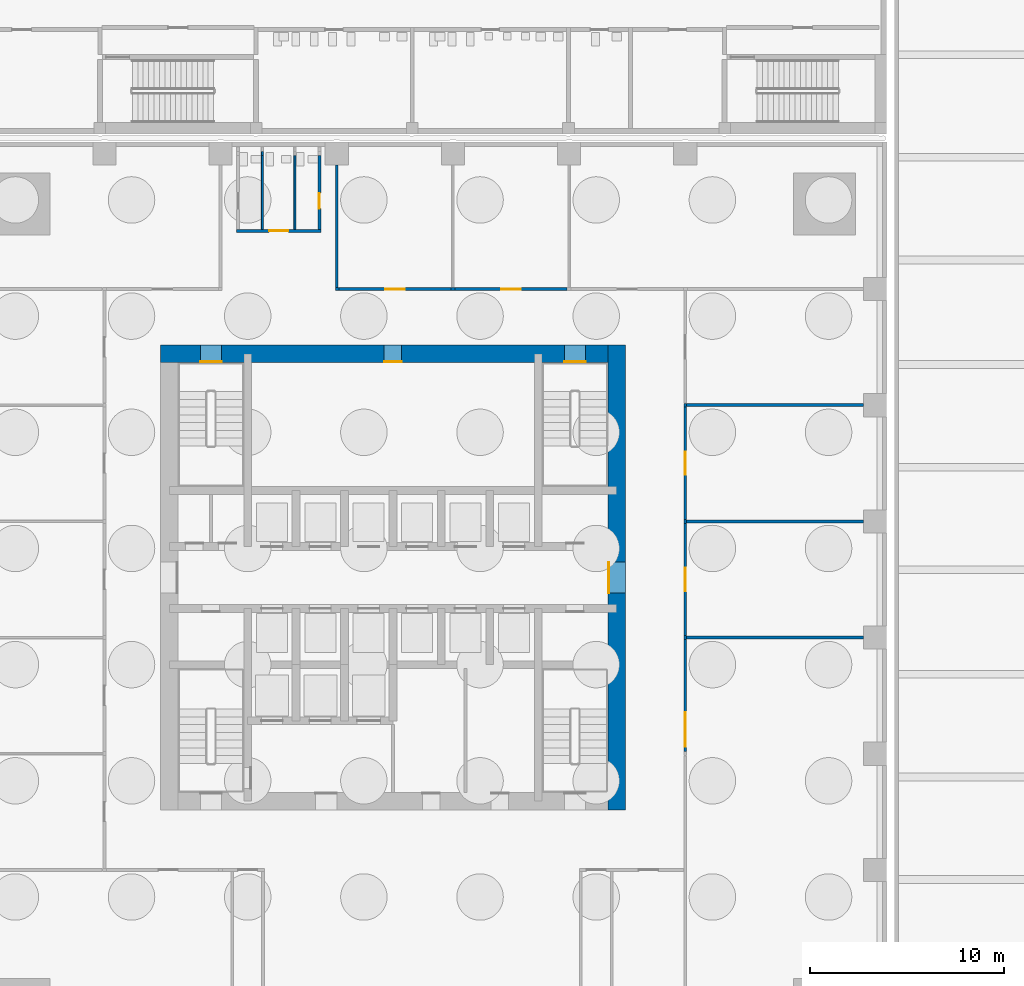
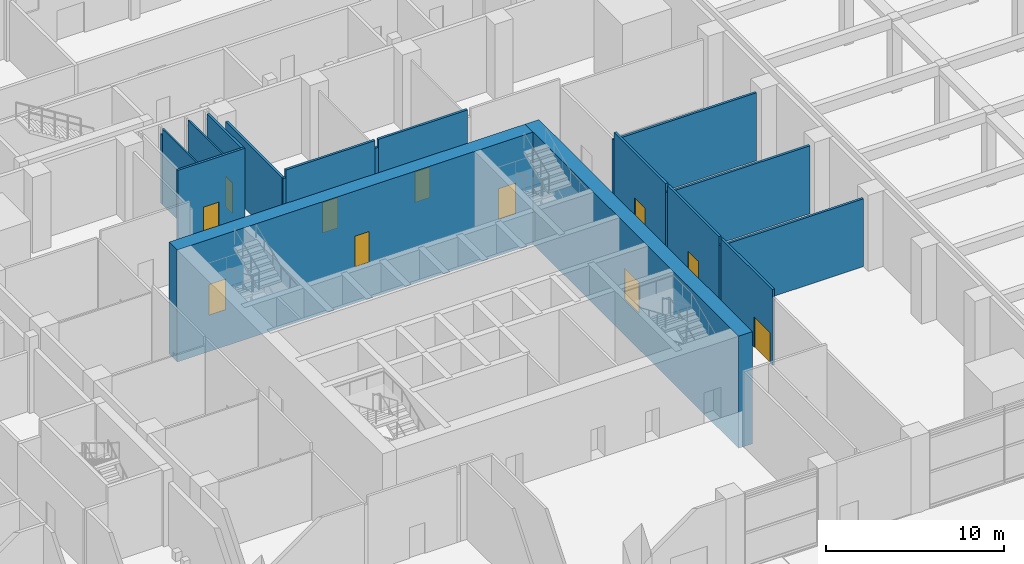
# One storey, part 15 of 33: 21 walls, 11 doors, 11 openings.
"""IFC4 building model written with IfcOpenShell, lengths in metres."""

from ifc_helpers import new_model, si_unit, direction, frame, frame_2d, origin, place, context, subcontext, project, spatial, rectangle, extrude, material, layer, layer_set, type_object, element, fill, save


model = new_model("IFC4")

# Units and contexts
model_context = context("Model", 3, precision=1e-05, world=origin(), true_north=direction((0.0, 1.0)))
body_context = subcontext(model_context, "Body", "Model", "MODEL_VIEW")
ifc_project = project(units=[si_unit("LENGTHUNIT", "METRE"), si_unit("AREAUNIT", "SQUARE_METRE"), si_unit("VOLUMEUNIT", "CUBIC_METRE"), si_unit("PLANEANGLEUNIT", "RADIAN"), si_unit("MASSUNIT", "GRAM", prefix="KILO")], contexts=[model_context])

# Site, building, storey
site_placement = place(None, origin())
site = spatial("IfcSite", under=ifc_project, at=site_placement, CompositionType="ELEMENT")
building_placement = place(site_placement, origin())
building = spatial("IfcBuilding", under=site, at=building_placement, Name="Amberfall Residences", CompositionType="ELEMENT")
storey_placement = place(building_placement, origin())
storey = spatial("IfcBuildingStorey", under=building, at=storey_placement, Name="L00", CompositionType="ELEMENT", Elevation=0.0)

# Wall, openings, doors
ifc_material_1 = material(Name="Concrete C80", Category="concrete")
ifc_layer_1 = layer(ifc_material_1, 0.89990234375)
ifc_layer_set_1 = layer_set([ifc_layer_1], Name="Core wall 900 C80")
wall_type_1 = type_object("IfcWallType", Name="Core wall 900 C80", PredefinedType="SHEAR", material=ifc_layer_set_1)
wall_1_placement = place(storey_placement, frame((62.5, 57.050048828125, -2.5), z_axis=(0.0, 0.0, 1.0), x_axis=(1.0, 0.0, 0.0)))
wall_1 = element("IfcWall", 1, at=wall_1_placement, inside=storey, type_object=wall_type_1, Name="Core wall RW1 L00 ON", PredefinedType="SHEAR", context=body_context, shape_type="SweptSolid", body=[
    extrude(rectangle(XDim=24.0, YDim=0.89990234375, at=frame_2d((12.0, 0.0))), origin(), (0.0, 0.0, 1.0), 7.699951171875),
])
opening_1_placement = place(wall_1_placement, frame((20.85009765625, 0.0, 2.5)))
opening_1 = element("IfcOpeningElement", 2, at=opening_1_placement, cuts=wall_1, Name="Opening SD1", PredefinedType="OPENING", context=body_context, shape_type="SweptSolid", body=[
    extrude(rectangle(XDim=1.10009765625, YDim=2.10009765625, at=frame_2d((0.550048828125, 1.050048828125))), frame((0.0, 0.4599609375, 0.0), z_axis=(0.0, -1.0, 0.0), x_axis=(1.0, 0.0, 0.0)), (0.0, 0.0, 1.0), 0.919921875),
])
opening_2_placement = place(wall_1_placement, frame((2.050048828125, 0.0, 2.5)))
opening_2 = element("IfcOpeningElement", 3, at=opening_2_placement, cuts=wall_1, Name="Opening SD1", PredefinedType="OPENING", context=body_context, shape_type="SweptSolid", body=[
    extrude(rectangle(XDim=1.10009765625, YDim=2.10009765625, at=frame_2d((0.550048828125, 1.050048828125))), frame((0.0, 0.4599609375, 0.0), z_axis=(0.0, -1.0, 0.0), x_axis=(1.0, 0.0, 0.0)), (0.0, 0.0, 1.0), 0.919921875),
])
opening_3_placement = place(wall_1_placement, frame((11.550048828125, 0.0, 2.5)))
opening_3 = element("IfcOpeningElement", 4, at=opening_3_placement, cuts=wall_1, Name="Opening RD1", PredefinedType="OPENING", context=body_context, shape_type="SweptSolid", body=[
    extrude(rectangle(XDim=0.89990234375, YDim=2.10009765625, at=frame_2d((0.449951171875, 1.050048828125))), frame((0.0, 0.4599609375, 0.0), z_axis=(0.0, -1.0, 0.0), x_axis=(1.0, 0.0, 0.0)), (0.0, 0.0, 1.0), 0.919921875),
])
ifc_material_2 = material(Name="Steel fire door set", Category="steel")
door_type_1 = type_object("IfcDoorType", Name="Service room door 900 x 2100", OperationType="SINGLE_SWING_LEFT", PredefinedType="DOOR", material=ifc_material_2)
door_1_placement = place(opening_3_placement, origin())
door_1 = element("IfcDoor", 5, at=door_1_placement, inside=storey, type_object=door_type_1, Name="RD1 L00", OperationType="SINGLE_SWING_RIGHT", OverallHeight=2.10009765625, OverallWidth=0.89990234375, PredefinedType="DOOR", context=body_context, shape_type="SweptSolid", body=[
    extrude(rectangle(XDim=0.89990234375, YDim=2.10009765625, at=frame_2d((0.449951171875, 1.050048828125))), frame((0.0, -0.3876953125, 0.0), z_axis=(0.0, -1.0, 0.0), x_axis=(1.0, 0.0, 0.0)), (0.0, 0.0, 1.0), 0.050048828125),
])
fill(opening_3, door_1)
door_type_2 = type_object("IfcDoorType", Name="Stair door 1100 x 2100", OperationType="SINGLE_SWING_LEFT", PredefinedType="DOOR", material=ifc_material_2)
door_2_placement = place(opening_1_placement, origin())
door_2 = element("IfcDoor", 6, at=door_2_placement, inside=storey, type_object=door_type_2, Name="SD1 L00", OperationType="SINGLE_SWING_RIGHT", OverallHeight=2.10009765625, OverallWidth=1.10009765625, PredefinedType="DOOR", context=body_context, shape_type="SweptSolid", body=[
    extrude(rectangle(XDim=1.10009765625, YDim=2.10009765625, at=frame_2d((0.550048828125, 1.050048828125))), frame((0.0, -0.3876953125, 0.0), z_axis=(0.0, -1.0, 0.0), x_axis=(1.0, 0.0, 0.0)), (0.0, 0.0, 1.0), 0.050048828125),
])
fill(opening_1, door_2)
door_3_placement = place(opening_2_placement, origin())
door_3 = element("IfcDoor", 7, at=door_3_placement, inside=storey, type_object=door_type_2, Name="SD1 L00", OperationType="SINGLE_SWING_LEFT", OverallHeight=2.10009765625, OverallWidth=1.10009765625, PredefinedType="DOOR", context=body_context, shape_type="SweptSolid", body=[
    extrude(rectangle(XDim=1.10009765625, YDim=2.10009765625, at=frame_2d((0.550048828125, 1.050048828125))), frame((0.0, -0.3876953125, 0.0), z_axis=(0.0, -1.0, 0.0), x_axis=(1.0, 0.0, 0.0)), (0.0, 0.0, 1.0), 0.050048828125),
])
fill(opening_2, door_3)

# Wall, opening, door
wall_2_placement = place(storey_placement, frame((86.050048828125, 33.5, -2.5), z_axis=(0.0, 0.0, 1.0), x_axis=(0.0, 1.0, 0.0)))
wall_2 = element("IfcWall", 8, at=wall_2_placement, inside=storey, type_object=wall_type_1, Name="Core wall RW1 L00 OE", PredefinedType="SHEAR", context=body_context, shape_type="SweptSolid", body=[
    extrude(rectangle(XDim=24.0, YDim=0.89990234375, at=frame_2d((12.0, 0.0))), origin(), (0.0, 0.0, 1.0), 7.699951171875),
])
opening_4_placement = place(wall_2_placement, frame((11.199951171875, 0.0, 2.5)))
opening_4 = element("IfcOpeningElement", 9, at=opening_4_placement, cuts=wall_2, Name="Opening LB1", PredefinedType="OPENING", context=body_context, shape_type="SweptSolid", body=[
    extrude(rectangle(XDim=1.60009765625, YDim=2.10009765625, at=frame_2d((0.800048828125, 1.050048828125))), frame((0.0, 0.4599609375, 0.0), z_axis=(0.0, -1.0, 0.0), x_axis=(1.0, 0.0, 0.0)), (0.0, 0.0, 1.0), 0.919921875),
])
door_type_3 = type_object("IfcDoorType", Name="Lift lobby double door 1600 x 2100", OperationType="DOUBLE_DOOR_SINGLE_SWING", PredefinedType="DOOR", material=ifc_material_2)
door_4_placement = place(opening_4_placement, origin())
door_4 = element("IfcDoor", 10, at=door_4_placement, inside=storey, type_object=door_type_3, Name="LB1 L00", OperationType="DOUBLE_DOOR_SINGLE_SWING", OverallHeight=2.10009765625, OverallWidth=1.60009765625, PredefinedType="DOOR", context=body_context, shape_type="SweptSolid", body=[
    extrude(rectangle(XDim=1.60009765625, YDim=2.10009765625, at=frame_2d((0.800048828125, 1.050048828125))), frame((0.0, 0.4375, 0.0), z_axis=(0.0, -1.0, 0.0), x_axis=(1.0, 0.0, 0.0)), (0.0, 0.0, 1.0), 0.050048828125),
])
fill(opening_4, door_4)

# Walls
ifc_material_3 = material(Name="Gypsum board on steel studs", Category="steel")
ifc_layer_2 = layer(ifc_material_3, 0.10009765625)
ifc_layer_set_2 = layer_set([ifc_layer_2], Name="Partition 100")
wall_type_2 = type_object("IfcWallType", Name="Partition 100", PredefinedType="PARTITIONING", material=ifc_layer_set_2)
wall_3_placement = place(storey_placement, frame((67.760009765625, 63.47509765625, 0.0), z_axis=(0.0, 0.0, 1.0), x_axis=(0.0, 1.0, 0.0)))
element("IfcWall", 11, at=wall_3_placement, inside=storey, type_object=wall_type_2, Name="Partition 100 L00 005", PredefinedType="PARTITIONING", context=body_context, shape_type="SweptSolid", body=[
    extrude(rectangle(XDim=3.830078125, YDim=0.10009765625, at=frame_2d((1.9150390625, 0.0))), origin(), (0.0, 0.0, 1.0), 5.199951171875),
])
wall_4_placement = place(storey_placement, frame((67.760009765625, 67.30517578125, 0.0), z_axis=(0.0, 0.0, 1.0), x_axis=(0.0, 1.0, 0.0)))
element("IfcWall", 12, at=wall_4_placement, inside=storey, type_object=wall_type_2, Name="Partition 100 L00 006", PredefinedType="PARTITIONING", context=body_context, shape_type="SweptSolid", body=[
    extrude(rectangle(XDim=0.18994140625, YDim=0.10009765625, at=frame_2d((0.094970703125, 0.0))), origin(), (0.0, 0.0, 1.0), 4.7470703125),
])
wall_5_placement = place(storey_placement, frame((69.43994140625, 63.47509765625, 0.0), z_axis=(0.0, 0.0, 1.0), x_axis=(0.0, 1.0, 0.0)))
element("IfcWall", 13, at=wall_5_placement, inside=storey, type_object=wall_type_2, Name="Partition 100 L00 008", PredefinedType="PARTITIONING", context=body_context, shape_type="SweptSolid", body=[
    extrude(rectangle(XDim=3.830078125, YDim=0.10009765625, at=frame_2d((1.9150390625, 0.0))), origin(), (0.0, 0.0, 1.0), 5.199951171875),
])
ifc_material_4 = material(Name="Fire-rated gypsum board on steel studs", Category="steel")
ifc_layer_3 = layer(ifc_material_4, 0.14990234375)
ifc_layer_set_3 = layer_set([ifc_layer_3], Name="Partition 150 fire-rated")
wall_type_3 = type_object("IfcWallType", Name="Partition 150 fire-rated", PredefinedType="PARTITIONING", material=ifc_layer_set_3)
for number, where, z_axis, x_axis, name in (
    (14, (89.675048828125, 42.39990234375, 0.0), (0.0, 0.0, 1.0), (1.0, 0.0, 0.0), "Partition 150 fire-rated L00 007"),
    (15, (89.675048828125, 48.39990234375, 0.0), (0.0, 0.0, 1.0), (1.0, 0.0, 0.0), "Partition 150 fire-rated L00 008"),
    (16, (89.675048828125, 54.39990234375, 0.0), (0.0, 0.0, 1.0), (1.0, 0.0, 0.0), "Partition 150 fire-rated L00 009"),
):
    element("IfcWall", number, at=place(storey_placement, frame(where, z_axis=z_axis, x_axis=x_axis)), inside=storey, type_object=wall_type_3, Name=name, PredefinedType="PARTITIONING", context=body_context, shape_type="SweptSolid", body=[
        extrude(rectangle(XDim=9.125, YDim=0.14990234375, at=frame_2d((4.5625, 0.0))), origin(), (0.0, 0.0, 1.0), 4.659912109375),
    ])
wall_6_placement = place(storey_placement, frame((71.52490234375, 60.39990234375, 0.0), z_axis=(0.0, 0.0, 1.0), x_axis=(1.0, 0.0, 0.0)))
element("IfcWall", 17, at=wall_6_placement, inside=storey, type_object=wall_type_3, Name="Partition 150 fire-rated L00 014", PredefinedType="PARTITIONING", context=body_context, shape_type="SweptSolid", body=[
    extrude(rectangle(XDim=0.1796875, YDim=0.14990234375, at=frame_2d((0.08984375, 0.0))), origin(), (0.0, 0.0, 1.0), 4.6669921875),
])

# Wall, opening, door
wall_7_placement = place(storey_placement, frame((71.70458984375, 60.39990234375, 0.0), z_axis=(0.0, 0.0, 1.0), x_axis=(1.0, 0.0, 0.0)))
wall_7 = element("IfcWall", 18, at=wall_7_placement, inside=storey, type_object=wall_type_3, Name="Partition 150 fire-rated L00 015", PredefinedType="PARTITIONING", context=body_context, shape_type="SweptSolid", body=[
    extrude(rectangle(XDim=5.790771484375, YDim=0.14990234375, at=frame_2d((2.8955078125, 0.0))), origin(), (0.0, 0.0, 1.0), 5.199951171875),
])
opening_5_placement = place(wall_7_placement, frame((2.395263671875, 0.0, 0.0)))
opening_5 = element("IfcOpeningElement", 19, at=opening_5_placement, cuts=wall_7, Name="Opening D2", PredefinedType="OPENING", context=body_context, shape_type="SweptSolid", body=[
    extrude(rectangle(XDim=1.0, YDim=2.10009765625, at=frame_2d((0.5, 1.050048828125))), frame((0.0, 0.0849609375, 0.0), z_axis=(0.0, -1.0, 0.0), x_axis=(1.0, 0.0, 0.0)), (0.0, 0.0, 1.0), 0.169921875),
])
ifc_material_5 = material(Name="Steel fire door leaf", Category="steel")
door_type_4 = type_object("IfcDoorType", Name="Fire door 1000x2100 FD30S", OperationType="SINGLE_SWING_LEFT", PredefinedType="DOOR", material=ifc_material_5)
door_5_placement = place(opening_5_placement, origin())
door_5 = element("IfcDoor", 20, at=door_5_placement, inside=storey, type_object=door_type_4, Name="Door Security office", OperationType="SINGLE_SWING_LEFT", OverallHeight=2.10009765625, OverallWidth=1.0, PredefinedType="DOOR", context=body_context, shape_type="SweptSolid", body=[
    extrude(rectangle(XDim=1.0, YDim=2.10009765625, at=frame_2d((0.5, 1.050048828125))), frame((0.0, 0.02490234375, 0.0), z_axis=(0.0, -1.0, 0.0), x_axis=(1.0, 0.0, 0.0)), (0.0, 0.0, 1.0), 0.050048828125),
])
fill(opening_5, door_5)

# Wall
wall_8_placement = place(storey_placement, frame((77.495361328125, 60.39990234375, 0.0), z_axis=(0.0, 0.0, 1.0), x_axis=(1.0, 0.0, 0.0)))
element("IfcWall", 21, at=wall_8_placement, inside=storey, type_object=wall_type_3, Name="Partition 150 fire-rated L00 016", PredefinedType="PARTITIONING", context=body_context, shape_type="SweptSolid", body=[
    extrude(rectangle(XDim=0.209228515625, YDim=0.14990234375, at=frame_2d((0.1044921875, 0.0))), origin(), (0.0, 0.0, 1.0), 4.6669921875),
])

# Wall, opening, door
wall_9_placement = place(storey_placement, frame((77.70458984375, 60.39990234375, 0.0), z_axis=(0.0, 0.0, 1.0), x_axis=(1.0, 0.0, 0.0)))
wall_9 = element("IfcWall", 22, at=wall_9_placement, inside=storey, type_object=wall_type_3, Name="Partition 150 fire-rated L00 017", PredefinedType="PARTITIONING", context=body_context, shape_type="SweptSolid", body=[
    extrude(rectangle(XDim=5.790771484375, YDim=0.14990234375, at=frame_2d((2.8955078125, 0.0))), origin(), (0.0, 0.0, 1.0), 5.199951171875),
])
opening_6_placement = place(wall_9_placement, frame((2.395263671875, 0.0, 0.0)))
opening_6 = element("IfcOpeningElement", 23, at=opening_6_placement, cuts=wall_9, Name="Opening D2", PredefinedType="OPENING", context=body_context, shape_type="SweptSolid", body=[
    extrude(rectangle(XDim=1.0, YDim=2.10009765625, at=frame_2d((0.5, 1.050048828125))), frame((0.0, 0.0849609375, 0.0), z_axis=(0.0, -1.0, 0.0), x_axis=(1.0, 0.0, 0.0)), (0.0, 0.0, 1.0), 0.169921875),
])
door_6_placement = place(opening_6_placement, origin())
door_6 = element("IfcDoor", 24, at=door_6_placement, inside=storey, type_object=door_type_4, Name="Door Parcel store", OperationType="SINGLE_SWING_LEFT", OverallHeight=2.10009765625, OverallWidth=1.0, PredefinedType="DOOR", context=body_context, shape_type="SweptSolid", body=[
    extrude(rectangle(XDim=1.0, YDim=2.10009765625, at=frame_2d((0.5, 1.050048828125))), frame((0.0, 0.02490234375, 0.0), z_axis=(0.0, -1.0, 0.0), x_axis=(1.0, 0.0, 0.0)), (0.0, 0.0, 1.0), 0.050048828125),
])
fill(opening_6, door_6)

wall_10_placement = place(storey_placement, frame((66.425048828125, 63.39990234375, 0.0), z_axis=(0.0, 0.0, 1.0), x_axis=(1.0, 0.0, 0.0)))
wall_10 = element("IfcWall", 25, at=wall_10_placement, inside=storey, type_object=wall_type_3, Name="Partition 150 fire-rated L00 022", PredefinedType="PARTITIONING", context=body_context, shape_type="SweptSolid", body=[
    extrude(rectangle(XDim=4.349853515625, YDim=0.14990234375, at=frame_2d((2.1748046875, 0.0))), origin(), (0.0, 0.0, 1.0), 5.199951171875),
])
opening_7_placement = place(wall_10_placement, frame((1.675048828125, 0.0, 0.0)))
opening_7 = element("IfcOpeningElement", 26, at=opening_7_placement, cuts=wall_10, Name="Opening D4", PredefinedType="OPENING", context=body_context, shape_type="SweptSolid", body=[
    extrude(rectangle(XDim=1.0, YDim=2.10009765625, at=frame_2d((0.5, 1.050048828125))), frame((0.0, 0.0849609375, 0.0), z_axis=(0.0, -1.0, 0.0), x_axis=(1.0, 0.0, 0.0)), (0.0, 0.0, 1.0), 0.169921875),
])
ifc_material_6 = material(Name="Timber veneer door leaf", Category="wood")
door_type_5 = type_object("IfcDoorType", Name="Accessible door 1000x2100", OperationType="SINGLE_SWING_LEFT", PredefinedType="DOOR", material=ifc_material_6)
door_7_placement = place(opening_7_placement, origin())
door_7 = element("IfcDoor", 27, at=door_7_placement, inside=storey, type_object=door_type_5, Name="Door Accessible WC L00", OperationType="SINGLE_SWING_LEFT", OverallHeight=2.10009765625, OverallWidth=1.0, PredefinedType="DOOR", context=body_context, shape_type="SweptSolid", body=[
    extrude(rectangle(XDim=1.0, YDim=2.10009765625, at=frame_2d((0.5, 1.050048828125))), frame((0.0, 0.02490234375, 0.0), z_axis=(0.0, -1.0, 0.0), x_axis=(1.0, 0.0, 0.0)), (0.0, 0.0, 1.0), 0.050048828125),
])
fill(opening_7, door_7)

wall_11_placement = place(storey_placement, frame((70.699951171875, 63.47509765625, 0.0), z_axis=(0.0, 0.0, 1.0), x_axis=(0.0, 1.0, 0.0)))
wall_11 = element("IfcWall", 28, at=wall_11_placement, inside=storey, type_object=wall_type_3, Name="Partition 150 fire-rated L00 040", PredefinedType="PARTITIONING", context=body_context, shape_type="SweptSolid", body=[
    extrude(rectangle(XDim=3.830078125, YDim=0.14990234375, at=frame_2d((1.9150390625, 0.0))), origin(), (0.0, 0.0, 1.0), 5.199951171875),
])
opening_8_placement = place(wall_11_placement, frame((1.074951171875, 0.0, 0.0)))
opening_8 = element("IfcOpeningElement", 29, at=opening_8_placement, cuts=wall_11, Name="Opening D3", PredefinedType="OPENING", context=body_context, shape_type="SweptSolid", body=[
    extrude(rectangle(XDim=0.800048828125, YDim=2.10009765625, at=frame_2d((0.39990234375, 1.050048828125))), frame((0.0, 0.0849609375, 0.0), z_axis=(0.0, -1.0, 0.0), x_axis=(1.0, 0.0, 0.0)), (0.0, 0.0, 1.0), 0.169921875),
])
door_type_6 = type_object("IfcDoorType", Name="Toilet door 800x2100", OperationType="SINGLE_SWING_LEFT", PredefinedType="DOOR", material=ifc_material_6)
door_8_placement = place(opening_8_placement, origin())
door_8 = element("IfcDoor", 30, at=door_8_placement, inside=storey, type_object=door_type_6, Name="Door Ladies WC L00", OperationType="SINGLE_SWING_LEFT", OverallHeight=2.10009765625, OverallWidth=0.800048828125, PredefinedType="DOOR", context=body_context, shape_type="SweptSolid", body=[
    extrude(rectangle(XDim=0.800048828125, YDim=2.10009765625, at=frame_2d((0.39990234375, 1.050048828125))), frame((0.0, 0.02490234375, 0.0), z_axis=(0.0, -1.0, 0.0), x_axis=(1.0, 0.0, 0.0)), (0.0, 0.0, 1.0), 0.050048828125),
])
fill(opening_8, door_8)

# Wall
wall_12_placement = place(storey_placement, frame((71.60009765625, 60.47509765625, 0.0), z_axis=(0.0, 0.0, 1.0), x_axis=(0.0, 1.0, 0.0)))
element("IfcWall", 31, at=wall_12_placement, inside=storey, type_object=wall_type_3, Name="Partition 150 fire-rated L00 043", PredefinedType="PARTITIONING", context=body_context, shape_type="SweptSolid", body=[
    extrude(rectangle(XDim=6.324951171875, YDim=0.14990234375, at=frame_2d((3.16259765625, 0.0))), origin(), (0.0, 0.0, 1.0), 4.6669921875),
])

# Wall, opening, door
wall_13_placement = place(storey_placement, frame((89.60009765625, 36.50537109375, 0.0), z_axis=(0.0, 0.0, 1.0), x_axis=(0.0, 1.0, 0.0)))
wall_13 = element("IfcWall", 32, at=wall_13_placement, inside=storey, type_object=wall_type_3, Name="Partition 150 fire-rated L00 050", PredefinedType="PARTITIONING", context=body_context, shape_type="SweptSolid", body=[
    extrude(rectangle(XDim=5.789306640625, YDim=0.14990234375, at=frame_2d((2.89453125, 0.0))), origin(), (0.0, 0.0, 1.0), 5.199951171875),
])
opening_9_placement = place(wall_13_placement, frame((0.24462890625, 0.0, 0.0)))
opening_9 = element("IfcOpeningElement", 33, at=opening_9_placement, cuts=wall_13, Name="Opening D5", PredefinedType="OPENING", context=body_context, shape_type="SweptSolid", body=[
    extrude(rectangle(XDim=1.800048828125, YDim=2.10009765625, at=frame_2d((0.89990234375, 1.050048828125))), frame((0.0, 0.0849609375, 0.0), z_axis=(0.0, -1.0, 0.0), x_axis=(1.0, 0.0, 0.0)), (0.0, 0.0, 1.0), 0.169921875),
])
door_type_7 = type_object("IfcDoorType", Name="Double door 1800x2100", OperationType="DOUBLE_DOOR_SINGLE_SWING", PredefinedType="DOOR", material=ifc_material_6)
door_9_placement = place(opening_9_placement, origin())
door_9 = element("IfcDoor", 34, at=door_9_placement, inside=storey, type_object=door_type_7, Name="Door Residents lounge", OperationType="DOUBLE_DOOR_SINGLE_SWING", OverallHeight=2.10009765625, OverallWidth=1.800048828125, PredefinedType="DOOR", context=body_context, shape_type="SweptSolid", body=[
    extrude(rectangle(XDim=1.800048828125, YDim=2.10009765625, at=frame_2d((0.89990234375, 1.050048828125))), frame((0.0, 0.02490234375, 0.0), z_axis=(0.0, -1.0, 0.0), x_axis=(1.0, 0.0, 0.0)), (0.0, 0.0, 1.0), 0.050048828125),
])
fill(opening_9, door_9)

# Wall
wall_14_placement = place(storey_placement, frame((89.60009765625, 42.294677734375, 0.0), z_axis=(0.0, 0.0, 1.0), x_axis=(0.0, 1.0, 0.0)))
element("IfcWall", 35, at=wall_14_placement, inside=storey, type_object=wall_type_3, Name="Partition 150 fire-rated L00 051", PredefinedType="PARTITIONING", context=body_context, shape_type="SweptSolid", body=[
    extrude(rectangle(XDim=0.210693359375, YDim=0.14990234375, at=frame_2d((0.10546875, 0.0))), origin(), (0.0, 0.0, 1.0), 4.659912109375),
])

# Wall, opening, door
wall_15_placement = place(storey_placement, frame((89.60009765625, 42.50537109375, 0.0), z_axis=(0.0, 0.0, 1.0), x_axis=(0.0, 1.0, 0.0)))
wall_15 = element("IfcWall", 36, at=wall_15_placement, inside=storey, type_object=wall_type_3, Name="Partition 150 fire-rated L00 052", PredefinedType="PARTITIONING", context=body_context, shape_type="SweptSolid", body=[
    extrude(rectangle(XDim=5.789306640625, YDim=0.14990234375, at=frame_2d((2.89453125, 0.0))), origin(), (0.0, 0.0, 1.0), 5.199951171875),
])
opening_10_placement = place(wall_15_placement, frame((2.294677734375, 0.0, 0.0)))
opening_10 = element("IfcOpeningElement", 37, at=opening_10_placement, cuts=wall_15, Name="Opening D7", PredefinedType="OPENING", context=body_context, shape_type="SweptSolid", body=[
    extrude(rectangle(XDim=1.199951171875, YDim=2.10009765625, at=frame_2d((0.60009765625, 1.050048828125))), frame((0.0, 0.0849609375, 0.0), z_axis=(0.0, -1.0, 0.0), x_axis=(1.0, 0.0, 0.0)), (0.0, 0.0, 1.0), 0.169921875),
])
door_type_8 = type_object("IfcDoorType", Name="Plant room door 1200x2100", OperationType="SINGLE_SWING_LEFT", PredefinedType="DOOR", material=ifc_material_5)
door_10_placement = place(opening_10_placement, origin())
door_10 = element("IfcDoor", 38, at=door_10_placement, inside=storey, type_object=door_type_8, Name="Door Switch room", OperationType="SINGLE_SWING_LEFT", OverallHeight=2.10009765625, OverallWidth=1.199951171875, PredefinedType="DOOR", context=body_context, shape_type="SweptSolid", body=[
    extrude(rectangle(XDim=1.199951171875, YDim=2.10009765625, at=frame_2d((0.60009765625, 1.050048828125))), frame((0.0, 0.02490234375, 0.0), z_axis=(0.0, -1.0, 0.0), x_axis=(1.0, 0.0, 0.0)), (0.0, 0.0, 1.0), 0.050048828125),
])
fill(opening_10, door_10)

# Wall
wall_16_placement = place(storey_placement, frame((89.60009765625, 48.294677734375, 0.0), z_axis=(0.0, 0.0, 1.0), x_axis=(0.0, 1.0, 0.0)))
element("IfcWall", 39, at=wall_16_placement, inside=storey, type_object=wall_type_3, Name="Partition 150 fire-rated L00 053", PredefinedType="PARTITIONING", context=body_context, shape_type="SweptSolid", body=[
    extrude(rectangle(XDim=0.210693359375, YDim=0.14990234375, at=frame_2d((0.10546875, 0.0))), origin(), (0.0, 0.0, 1.0), 4.659912109375),
])

# Wall, opening, door
wall_17_placement = place(storey_placement, frame((89.60009765625, 48.50537109375, 0.0), z_axis=(0.0, 0.0, 1.0), x_axis=(0.0, 1.0, 0.0)))
wall_17 = element("IfcWall", 40, at=wall_17_placement, inside=storey, type_object=wall_type_3, Name="Partition 150 fire-rated L00 054", PredefinedType="PARTITIONING", context=body_context, shape_type="SweptSolid", body=[
    extrude(rectangle(XDim=5.789306640625, YDim=0.14990234375, at=frame_2d((2.89453125, 0.0))), origin(), (0.0, 0.0, 1.0), 5.199951171875),
])
opening_11_placement = place(wall_17_placement, frame((2.294677734375, 0.0, 0.0)))
opening_11 = element("IfcOpeningElement", 41, at=opening_11_placement, cuts=wall_17, Name="Opening D7", PredefinedType="OPENING", context=body_context, shape_type="SweptSolid", body=[
    extrude(rectangle(XDim=1.199951171875, YDim=2.10009765625, at=frame_2d((0.60009765625, 1.050048828125))), frame((0.0, 0.0849609375, 0.0), z_axis=(0.0, -1.0, 0.0), x_axis=(1.0, 0.0, 0.0)), (0.0, 0.0, 1.0), 0.169921875),
])
door_11_placement = place(opening_11_placement, origin())
door_11 = element("IfcDoor", 42, at=door_11_placement, inside=storey, type_object=door_type_8, Name="Door Transformer room", OperationType="SINGLE_SWING_LEFT", OverallHeight=2.10009765625, OverallWidth=1.199951171875, PredefinedType="DOOR", context=body_context, shape_type="SweptSolid", body=[
    extrude(rectangle(XDim=1.199951171875, YDim=2.10009765625, at=frame_2d((0.60009765625, 1.050048828125))), frame((0.0, 0.02490234375, 0.0), z_axis=(0.0, -1.0, 0.0), x_axis=(1.0, 0.0, 0.0)), (0.0, 0.0, 1.0), 0.050048828125),
])
fill(opening_11, door_11)

# Wall
wall_18_placement = place(storey_placement, frame((89.60009765625, 54.294677734375, 0.0), z_axis=(0.0, 0.0, 1.0), x_axis=(0.0, 1.0, 0.0)))
element("IfcWall", 43, at=wall_18_placement, inside=storey, type_object=wall_type_3, Name="Partition 150 fire-rated L00 055", PredefinedType="PARTITIONING", context=body_context, shape_type="SweptSolid", body=[
    extrude(rectangle(XDim=0.205810546875, YDim=0.14990234375, at=frame_2d((0.10302734375, 0.0))), origin(), (0.0, 0.0, 1.0), 4.659912109375),
])

save(model, "model.ifc")
